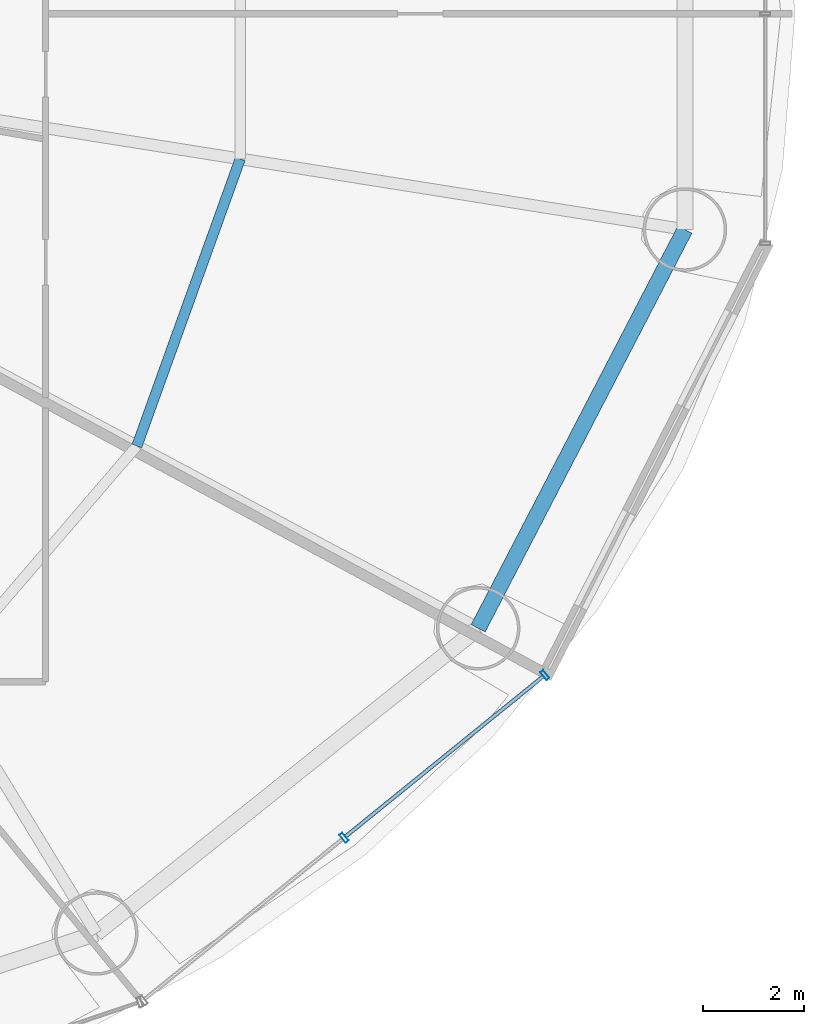
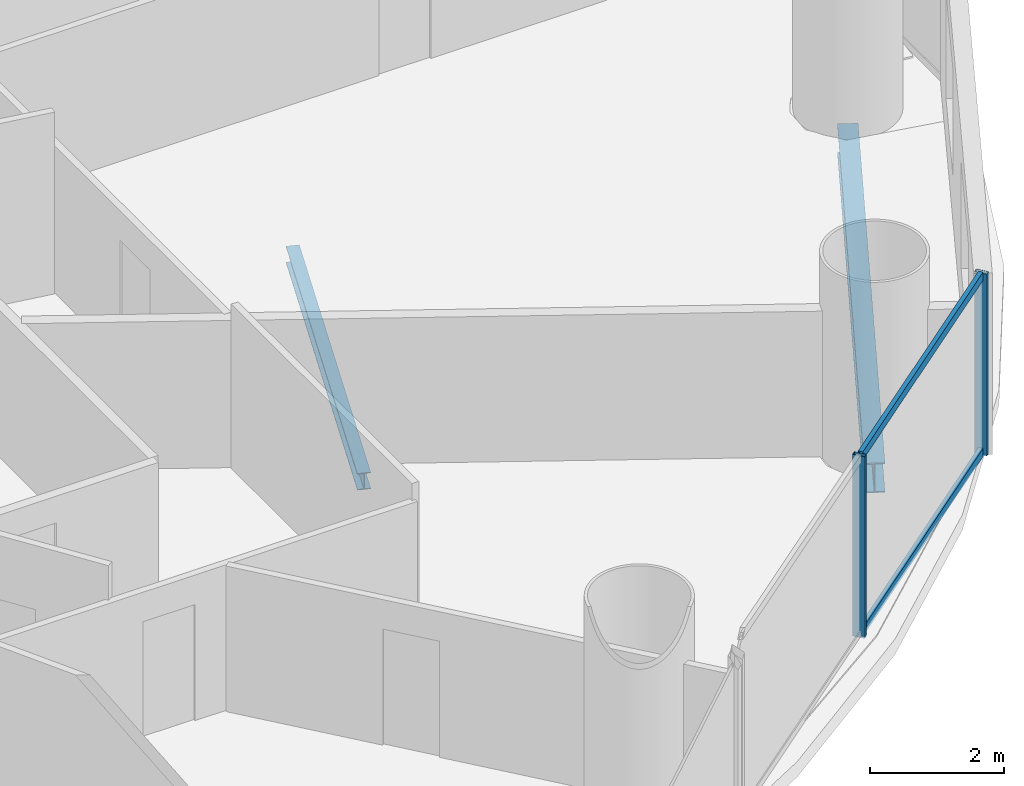
# One storey, part 12 of 29: 4 members, 2 beams, 1 element without a shape of its own.
"""IFC4 building model written with IfcOpenShell, lengths in metres."""

import ifcopenshell
import ifcopenshell.guid

model = None  # the IFC model being written
_history = None  # IfcOwnerHistory: only IFC2X3 demands one
_inside = {}  # id of a spatial element -> (the spatial element, [elements in it])
_under = {}  # id of a project, library or spatial element -> (it, [spatial elements below it])
_declared = {}  # id of a project -> (the project, [libraries it declares])
_typed = {}  # id of a type object -> (the type object, [elements of that type])
_made_of = {}  # id of a material, layer set ... -> (it, [elements and type objects made of it])


def new_model(schema):
    """Start an empty IFC model of exactly this schema.

    Asked for "IFC4X3", IfcOpenShell would pick the latest addendum, in which some entities
    have other attributes; the version numbers below select the first issue.
    IFC2X3 requires an IfcOwnerHistory on every rooted entity: one is made here for all.
    """
    global model, _history
    if schema == "IFC4X3":
        model = ifcopenshell.file(schema_version=(4, 3, 0, 0))
    else:
        model = ifcopenshell.file(schema=schema)
    _inside.clear()
    _under.clear()
    _declared.clear()
    _typed.clear()
    _made_of.clear()
    _history = None
    if model.schema == "IFC2X3":
        org = make("IfcOrganization", Name="unknown")
        user = make(
            "IfcPersonAndOrganization",
            ThePerson=make("IfcPerson", FamilyName="unknown"),
            TheOrganization=org,
        )
        app = make(
            "IfcApplication",
            ApplicationDeveloper=org,
            Version="unknown",
            ApplicationFullName="unknown",
            ApplicationIdentifier="unknown",
        )
        _history = make(
            "IfcOwnerHistory",
            OwningUser=user,
            OwningApplication=app,
            ChangeAction="ADDED",
            CreationDate=0,
        )
    return model


def make(cls, **values):
    """One entity of the class cls with the attributes given. An attribute that is None is left unset."""
    return model.create_entity(
        cls, **{name: value for name, value in values.items() if value is not None}
    )


def rooted(cls, **values):
    """An entity with a GlobalId (a new one), such as an element, a storey or a relation."""
    return make(cls, GlobalId=ifcopenshell.guid.new(), OwnerHistory=_history, **values)


def si_unit(unit_type, name, prefix=None):
    """IfcSIUnit, for example si_unit("LENGTHUNIT", "METRE", prefix="MILLI")."""
    return make("IfcSIUnit", UnitType=unit_type, Prefix=prefix, Name=name)


def assignment(units):
    """IfcUnitAssignment: the units of a project."""
    return None if units is None else make("IfcUnitAssignment", Units=units)


def point(xyz):
    """IfcCartesianPoint."""
    return None if xyz is None else make("IfcCartesianPoint", Coordinates=xyz)


def direction(xyz):
    """IfcDirection."""
    return None if xyz is None else make("IfcDirection", DirectionRatios=xyz)


def frame(location, z_axis=None, x_axis=None):
    """IfcAxis2Placement3D, a coordinate frame: its origin and axes. An axis left out is left unset."""
    return make(
        "IfcAxis2Placement3D",
        Location=point(location),
        Axis=direction(z_axis),
        RefDirection=direction(x_axis),
    )


def frame_2d(location, x_axis=None):
    """IfcAxis2Placement2D, a coordinate frame in the plane: its origin and x axis."""
    return make(
        "IfcAxis2Placement2D", Location=point(location), RefDirection=direction(x_axis)
    )


def origin():
    """The frame at (0, 0, 0) with its axes left unset."""
    return frame((0.0, 0.0, 0.0))


def origin_2d():
    """The frame at (0, 0) in the plane with its x axis left unset."""
    return frame_2d((0.0, 0.0))


def place(relative_to, where):
    """IfcLocalPlacement: puts the frame where relative to a parent placement (None: the world)."""
    return make(
        "IfcLocalPlacement", PlacementRelTo=relative_to, RelativePlacement=where
    )


def context(
    kind, dimensions, precision=None, world=None, true_north=None, identifier=None
):
    """IfcGeometricRepresentationContext, for example the 3D "Model" context."""
    return make(
        "IfcGeometricRepresentationContext",
        ContextIdentifier=identifier,
        ContextType=kind,
        CoordinateSpaceDimension=dimensions,
        Precision=precision,
        WorldCoordinateSystem=world,
        TrueNorth=true_north,
    )


def subcontext(parent, identifier, kind, view, scale=None):
    """IfcGeometricRepresentationSubContext, for example "Body" below "Model"."""
    return make(
        "IfcGeometricRepresentationSubContext",
        ContextIdentifier=identifier,
        ContextType=kind,
        ParentContext=parent,
        TargetScale=scale,
        TargetView=view,
    )


def project(units=None, contexts=None):
    """IfcProject with its units and contexts."""
    return rooted(
        "IfcProject",
        Name="project",
        RepresentationContexts=contexts,
        UnitsInContext=assignment(units),
    )


def spatial(cls, under=None, at=None, **own):
    """A site, building, storey or space (cls), placed at a placement, below another one or the project."""
    s = rooted(cls, ObjectPlacement=at, **own)
    if under is not None:
        _under.setdefault(under.id(), (under, []))[1].append(s)
    return s


def profile(cls, at=None, kind="AREA", **sizes):
    """A parametric profile (cls). Its sizes go by their IFC names, for example OverallWidth=200.0."""
    return make(cls, ProfileType=kind, Position=at, **sizes)


def hollow_rectangle(**sizes):
    """IfcRectangleHollowProfileDef."""
    return profile("IfcRectangleHollowProfileDef", **sizes)


def i_section(**sizes):
    """IfcIShapeProfileDef."""
    return profile("IfcIShapeProfileDef", **sizes)


def extrude(swept, where, along, depth):
    """IfcExtrudedAreaSolid: the profile swept, set in the frame where, extruded along a direction by depth."""
    return make(
        "IfcExtrudedAreaSolid",
        SweptArea=swept,
        Position=where,
        ExtrudedDirection=direction(along),
        Depth=depth,
    )


def shape(context_of_items, identifier, shape_type, items):
    """IfcShapeRepresentation: the items that make up one representation, for example the "Body"."""
    return make(
        "IfcShapeRepresentation",
        ContextOfItems=context_of_items,
        RepresentationIdentifier=identifier,
        RepresentationType=shape_type,
        Items=items,
    )


def source(mapping_origin, context_of_items, identifier, shape_type, items):
    """IfcRepresentationMap: a shape defined once, which mapped items show again and again."""
    return make(
        "IfcRepresentationMap",
        MappingOrigin=mapping_origin,
        MappedRepresentation=shape(context_of_items, identifier, shape_type, items),
    )


def transform(
    local_origin,
    x_axis=None,
    y_axis=None,
    z_axis=None,
    scale=None,
    scale2=None,
    scale3=None,
    uniform=True,
):
    """IfcCartesianTransformationOperator3D, or its non-uniform kind. x_axis, y_axis, z_axis: its Axis1, 2, 3."""
    if uniform:
        return make(
            "IfcCartesianTransformationOperator3D",
            Axis1=direction(x_axis),
            Axis2=direction(y_axis),
            LocalOrigin=point(local_origin),
            Scale=scale,
            Axis3=direction(z_axis),
        )
    return make(
        "IfcCartesianTransformationOperator3DnonUniform",
        Axis1=direction(x_axis),
        Axis2=direction(y_axis),
        LocalOrigin=point(local_origin),
        Scale=scale,
        Axis3=direction(z_axis),
        Scale2=scale2,
        Scale3=scale3,
    )


def mapped(mapping_source, mapping_target):
    """IfcMappedItem: shows the shape of a source again, moved by a transform."""
    return make(
        "IfcMappedItem", MappingSource=mapping_source, MappingTarget=mapping_target
    )


def material(Name=None, Category=None):
    """IfcMaterial."""
    return make("IfcMaterial", Name=Name, Category=Category)


def material_profile(
    of_material, cross_section, Name=None, Category=None, Priority=None
):
    """IfcMaterialProfile: a cross section and its material."""
    return make(
        "IfcMaterialProfile",
        Name=Name,
        Material=of_material,
        Profile=cross_section,
        Priority=Priority,
        Category=Category,
    )


def profile_set(profiles, Name=None, composite=None):
    """IfcMaterialProfileSet."""
    return make(
        "IfcMaterialProfileSet",
        Name=Name,
        MaterialProfiles=profiles,
        CompositeProfile=composite,
    )


def made_of(thing, what):
    """Note that an element or type object is made of a material, layer set ...; save() writes the relation."""
    if what is not None:
        _made_of.setdefault(what.id(), (what, []))[1].append(thing)
    return thing


def type_object(cls, material=None, **own):
    """A type object (cls), such as IfcWallType, which elements share."""
    return made_of(rooted(cls, **own), material)


def element(
    cls,
    number,
    at=None,
    inside=None,
    cuts=None,
    type_object=None,
    material=None,
    context=None,
    identifier="Body",
    shape_type=None,
    held_by="IfcProductDefinitionShape",
    body=None,
    shapes=None,
    **own,
):
    """One element of the class cls, such as IfcWall. Its Tag is "e" and its number.

    at: its placement. inside: the storey or other place that contains it. cuts: it is an
    opening in that element (IfcRelVoidsElement). A single representation is given by context,
    identifier, shape_type and body (its items); several are given by shapes. held_by: the class
    of the entity that holds the representations. save() writes the other relations.
    """
    e = rooted(cls, Tag="e%d" % number, ObjectPlacement=at, **own)
    if body is not None:
        shapes = [shape(context, identifier, shape_type, body)]
    if shapes is not None:
        e.Representation = make(held_by, Representations=shapes)
    if inside is not None:
        _inside.setdefault(inside.id(), (inside, []))[1].append(e)
    if cuts is not None:
        rooted(
            "IfcRelVoidsElement", RelatingBuildingElement=cuts, RelatedOpeningElement=e
        )
    if type_object is not None:
        _typed.setdefault(type_object.id(), (type_object, []))[1].append(e)
    return made_of(e, material)


def aggregate(whole, parts):
    """IfcRelAggregates: a whole, such as a stair, and the parts it consists of."""
    return rooted("IfcRelAggregates", RelatingObject=whole, RelatedObjects=parts)


def save(model, path):
    """Write the relations noted so far, then the file.

    IfcRelAggregates (storeys below a building ...), IfcRelContainedInSpatialStructure (elements
    in a storey), IfcRelDefinesByType, IfcRelAssociatesMaterial and IfcRelDeclares: one each for
    every whole, place, type object, material and project.
    """
    for whole, parts in _under.values():
        aggregate(whole, parts)
    for where, things in _inside.values():
        rooted(
            "IfcRelContainedInSpatialStructure",
            RelatedElements=things,
            RelatingStructure=where,
        )
    for kind, things in _typed.values():
        rooted("IfcRelDefinesByType", RelatedObjects=things, RelatingType=kind)
    for what, things in _made_of.values():
        rooted("IfcRelAssociatesMaterial", RelatedObjects=things, RelatingMaterial=what)
    for by, libraries in _declared.values():
        rooted("IfcRelDeclares", RelatingContext=by, RelatedDefinitions=libraries)
    model.write(path)


model = new_model("IFC4")

# Units and contexts
model_context = context("Model", 3, precision=1e-05, world=origin(), true_north=direction((-0.2419218956, 0.970295726276)))
body_context = subcontext(model_context, "Body", "Model", "MODEL_VIEW")
ifc_project = project(units=[si_unit("LENGTHUNIT", "METRE"), si_unit("AREAUNIT", "SQUARE_METRE"), si_unit("VOLUMEUNIT", "CUBIC_METRE"), si_unit("PLANEANGLEUNIT", "RADIAN"), si_unit("MASSUNIT", "GRAM", prefix="KILO")], contexts=[model_context])

# Site, building, storey
site_placement = place(None, origin())
site = spatial("IfcSite", under=ifc_project, at=site_placement, CompositionType="ELEMENT")
building_placement = place(site_placement, origin())
building = spatial("IfcBuilding", under=site, at=building_placement, Name="Cobrevalo Terracotta Tower", CompositionType="ELEMENT")
storey_placement = place(building_placement, frame((0.0, 0.0, 45.60009765625)))
storey = spatial("IfcBuildingStorey", under=building, at=storey_placement, Name="L11", CompositionType="ELEMENT", Elevation=45.60009765625)

# Beams
ifc_material_1 = material(Name="Steel S355", Category="steel")
ifc_material_profile_1 = material_profile(ifc_material_1, i_section(OverallWidth=0.2041015625, OverallDepth=0.305908203125, WebThickness=0.008544921875, FlangeThickness=0.0146484375, at=origin_2d()), Name="W 310x67")
ifc_profile_set_1 = profile_set([ifc_material_profile_1], Name="Steel S355")
beam_type_1 = type_object("IfcBeamType", Name="Structural Joist W 310x67 (Steel S355)", PredefinedType="JOIST", material=ifc_profile_set_1)
beam_1_placement = place(storey_placement, frame((53.997802734375, 18.26025390625, -0.43310546875), z_axis=(0.338672151116, 0.940904444701, 0.0), x_axis=(-0.940904444701, 0.338672151116, 0.0)))
element("IfcBeam", 1, at=beam_1_placement, inside=storey, type_object=beam_type_1, Name="L11 circumferential secondary floor joist 15", PredefinedType="JOIST", context=body_context, shape_type="SweptSolid", body=[
    extrude(i_section(OverallWidth=0.2041015625, OverallDepth=0.305908203125, WebThickness=0.008544921875, FlangeThickness=0.0146484375, at=origin_2d()), origin(), (0.0, 0.0, 1.0), 6.029296875),
])
ifc_material_profile_2 = material_profile(ifc_material_1, i_section(OverallWidth=0.31201171875, OverallDepth=0.54296875, WebThickness=0.0126953125, FlangeThickness=0.020263671875, at=origin_2d()), Name="W 530x150")
ifc_profile_set_2 = profile_set([ifc_material_profile_2], Name="Steel S355")
beam_type_2 = type_object("IfcBeamType", Name="Structural Spandrel W 530x150 (Steel S355)", PredefinedType="SPANDREL", material=ifc_profile_set_2)
beam_2_placement = place(storey_placement, frame((60.74072265625, 14.660888671875, -0.551513671875), z_axis=(0.460285838799, 0.88777077368, 0.0), x_axis=(-0.88777077368, 0.460285838799, 0.0)))
element("IfcBeam", 2, at=beam_2_placement, inside=storey, type_object=beam_type_2, Name="L11 perimeter ring spandrel 15", PredefinedType="SPANDREL", context=body_context, shape_type="SweptSolid", body=[
    extrude(i_section(OverallWidth=0.31201171875, OverallDepth=0.54296875, WebThickness=0.0126953125, FlangeThickness=0.020263671875, at=origin_2d()), origin(), (0.0, 0.0, 1.0), 8.8720703125),
])

# Curtain wall, members
ifc_material_2 = material(Name="Anodized aluminium", Category="aluminium")
curtain_wall_type = type_object("IfcCurtainWallType", Name="Lower-tower unitised acoustic low-E curtain wall CW-U1", PredefinedType="NOTDEFINED", material=ifc_material_2)
curtain_wall_placement = place(storey_placement, origin())
curtain_wall = element("IfcCurtainWall", 3, at=curtain_wall_placement, inside=storey, type_object=curtain_wall_type, Name="L11 curtain wall CW-L11-S14", PredefinedType="NOTDEFINED")
ifc_material_profile_3 = material_profile(ifc_material_2, hollow_rectangle(XDim=0.074951171875, YDim=0.14990234375, WallThickness=0.00439453125, at=origin_2d()), Name="CWT 75x150")
ifc_profile_set_3 = profile_set([ifc_material_profile_3], Name="Anodized aluminium")
member_type_1 = type_object("IfcMemberType", Name="Tower unitised aluminium transom 75x150", PredefinedType="USERDEFINED", material=ifc_profile_set_3)
shared_shape_1 = source(origin(), body_context, "Body", "SweptSolid", [
    extrude(hollow_rectangle(XDim=0.074951171875, YDim=0.14990234375, WallThickness=0.00439453125, at=origin_2d()), origin(), (0.0, 0.0, 1.0), 5.0234375),
])
member_1_placement = place(storey_placement, frame((58.122314453125, 10.54833984375, 0.0498046875), z_axis=(0.777022991593, 0.629472215857, 0.0), x_axis=(-0.629472215857, 0.777022991593, 0.0)))
member_1 = element("IfcMember", 4, at=member_1_placement, type_object=member_type_1, Name="CW-L11-S14 transom B02-T1", ObjectType="TRANSOM", PredefinedType="USERDEFINED", context=body_context, shape_type="MappedRepresentation", body=[
    mapped(shared_shape_1, transform((0.0, 0.0, 0.0), scale=1.0)),
])
member_2_placement = place(storey_placement, frame((58.122314453125, 10.54833984375, 3.27001953125), z_axis=(0.777022991593, 0.629472215857, 0.0), x_axis=(-0.629472215857, 0.777022991593, 0.0)))
member_2 = element("IfcMember", 5, at=member_2_placement, type_object=member_type_1, Name="CW-L11-S14 transom B02-T2", ObjectType="TRANSOM", PredefinedType="USERDEFINED", context=body_context, shape_type="MappedRepresentation", body=[
    mapped(shared_shape_1, transform((0.0, 0.0, 0.0), scale=1.0)),
])
ifc_material_profile_4 = material_profile(ifc_material_2, hollow_rectangle(XDim=0.074951171875, YDim=0.199951171875, WallThickness=0.0048828125, at=origin_2d()), Name="CWM 75x200")
ifc_profile_set_4 = profile_set([ifc_material_profile_4], Name="Anodized aluminium")
member_type_2 = type_object("IfcMemberType", Name="Lower/mid tower unitised mullion 75x200", PredefinedType="MULLION", material=ifc_profile_set_4)
shared_shape_2 = source(origin(), body_context, "Body", "SweptSolid", [
    extrude(hollow_rectangle(XDim=0.074951171875, YDim=0.199951171875, WallThickness=0.0048828125, at=origin_2d()), origin(), (0.0, 0.0, 1.0), 3.31982421875),
])
member_3_placement = place(storey_placement, frame((58.09130859375, 10.523193359375, 0.0), z_axis=(0.0, 0.0, 1.0), x_axis=(0.777003153187, 0.629496703675, 0.0)))
member_3 = element("IfcMember", 6, at=member_3_placement, type_object=member_type_2, Name="CW-L11-S14 vertical mullion 02", PredefinedType="MULLION", context=body_context, shape_type="MappedRepresentation", body=[
    mapped(shared_shape_2, transform((0.0, 0.0, 0.0), scale=1.0)),
])
member_4_placement = place(storey_placement, frame((62.056640625, 13.735595703125, 0.0), z_axis=(0.0, 0.0, 1.0), x_axis=(0.777003153187, 0.629496703675, 0.0)))
member_4 = element("IfcMember", 7, at=member_4_placement, type_object=member_type_2, Name="CW-L11-S14 vertical mullion 03", PredefinedType="MULLION", context=body_context, shape_type="MappedRepresentation", body=[
    mapped(shared_shape_2, transform((0.0, 0.0, 0.0), scale=1.0)),
])
aggregate(curtain_wall, [member_3, member_4, member_1, member_2])

save(model, "model.ifc")
